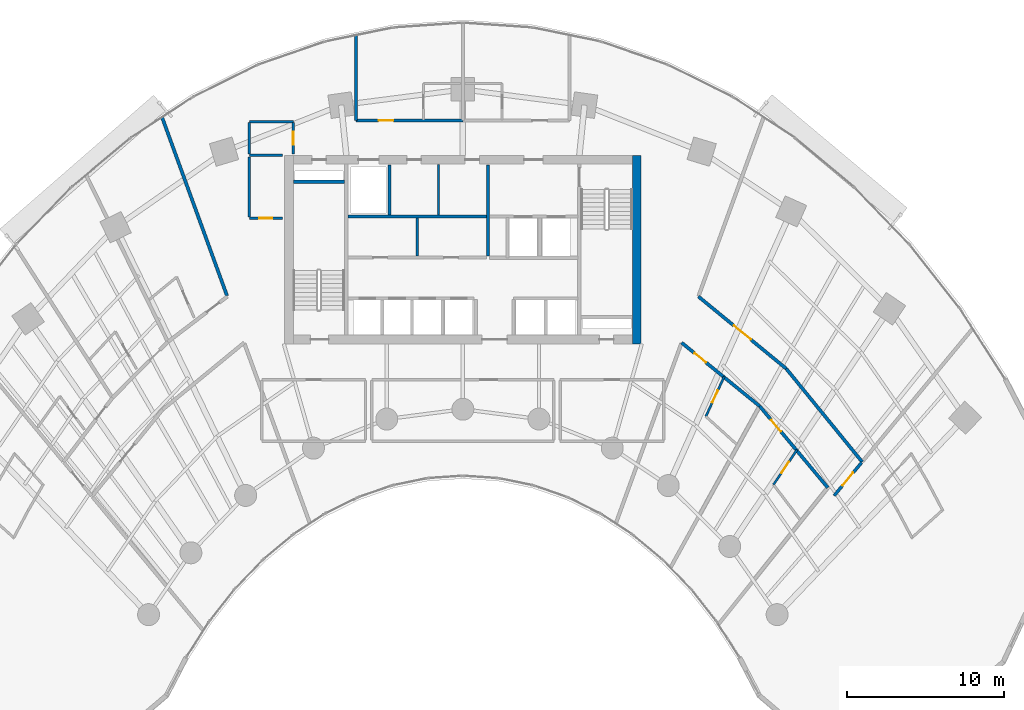
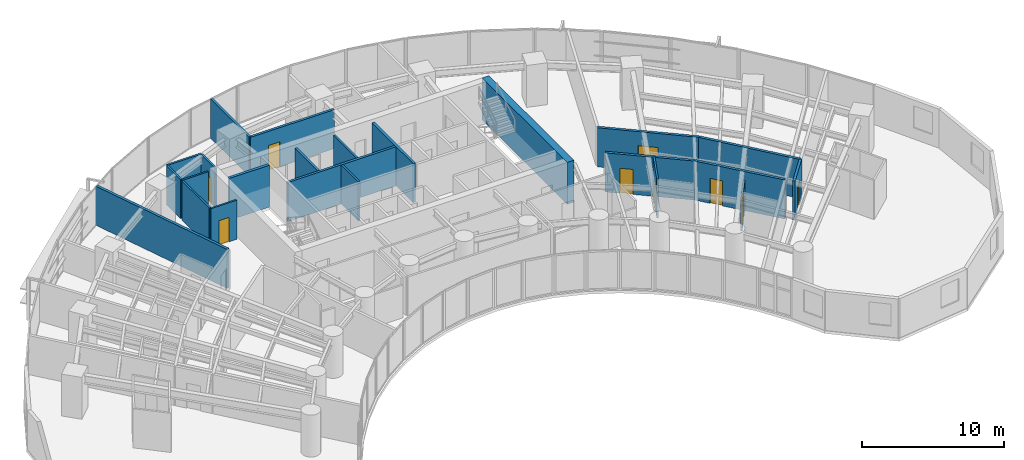
# One storey, part 13 of 17: 23 walls, 9 doors, 9 openings.
"""IFC4 building model written with IfcOpenShell, lengths in metres."""

from ifc_helpers import new_model, si_unit, direction, frame, frame_2d, origin, place, context, subcontext, project, spatial, rectangle, extrude, source, transform, mapped, material, layer, layer_set, type_object, type_shapes, element, fill, save


model = new_model("IFC4")

# Units and contexts
model_context = context("Model", 3, precision=1e-05, world=origin(), true_north=direction((0.0, 1.0)))
body_context = subcontext(model_context, "Body", "Model", "MODEL_VIEW")
ifc_project = project(units=[si_unit("LENGTHUNIT", "METRE"), si_unit("AREAUNIT", "SQUARE_METRE"), si_unit("VOLUMEUNIT", "CUBIC_METRE"), si_unit("PLANEANGLEUNIT", "RADIAN"), si_unit("MASSUNIT", "GRAM", prefix="KILO")], contexts=[model_context])

# Site, building, storey
site_placement = place(None, origin())
site = spatial("IfcSite", under=ifc_project, at=site_placement, CompositionType="ELEMENT")
building_placement = place(site_placement, origin())
building = spatial("IfcBuilding", under=site, at=building_placement, Name="Breltana Convention Tower", CompositionType="ELEMENT")
storey_placement = place(building_placement, frame((0.0, 0.0, 75.0)))
storey = spatial("IfcBuildingStorey", under=building, at=storey_placement, Name="L17", CompositionType="ELEMENT", Elevation=75.0)

# Walls
ifc_material_1 = material(Name="Concrete C60/75", Category="concrete")
ifc_layer_1 = layer(ifc_material_1, 0.550048828125, Name="Concrete C60/75")
ifc_layer_set_1 = layer_set([ifc_layer_1], Name="Concrete C60/75")
wall_type_1 = type_object("IfcWallType", Name="SW-CORE-550", PredefinedType="SHEAR", material=ifc_layer_set_1)
shared_shape_1 = source(origin(), body_context, "Body", "SweptSolid", [
    extrude(rectangle(XDim=12.0, YDim=0.550048828125, at=frame_2d((6.0, 0.0))), origin(), (0.0, 0.0, 1.0), 3.60009765625),
])
wall_1_placement = place(storey_placement, frame((59.074951171875, 60.199951171875, 0.0), z_axis=(0.0, 0.0, 1.0), x_axis=(0.0, 1.0, 0.0)))
element("IfcWall", 1, at=wall_1_placement, inside=storey, type_object=wall_type_1, Name="L17 East Core Shear Wall", PredefinedType="SHEAR", context=body_context, shape_type="MappedRepresentation", body=[
    mapped(shared_shape_1, transform((0.0, 0.0, 0.0), scale=1.0)),
])
ifc_material_2 = material(Name="Concrete C50/60", Category="concrete")
ifc_layer_2 = layer(ifc_material_2, 0.39990234375, Name="Concrete C50/60")
ifc_layer_set_2 = layer_set([ifc_layer_2], Name="Concrete C50/60")
wall_type_2 = type_object("IfcWallType", Name="SW-CORE-400", PredefinedType="SHEAR", material=ifc_layer_set_2)
shared_shape_2 = source(origin(), body_context, "Body", "SweptSolid", [
    extrude(rectangle(XDim=3.27001953125, YDim=0.219970703125, at=frame_2d((1.635009765625, 0.0))), origin(), (0.0, 0.0, 1.0), 3.60009765625),
])
wall_2_placement = place(storey_placement, frame((37.199951171875, 70.510009765625, 0.0), z_axis=(0.0, 0.0, 1.0), x_axis=(1.0, 0.0, 0.0)))
element("IfcWall", 2, at=wall_2_placement, inside=storey, type_object=wall_type_2, Name="L17 ST-1 Stairwell North Bearing Wall", PredefinedType="SHEAR", context=body_context, shape_type="MappedRepresentation", body=[
    mapped(shared_shape_2, transform((0.0, 0.0, 0.0), scale=1.0)),
])
ifc_material_3 = material(Name="Autoclaved Aerated Concrete Block", Category="concrete")
ifc_layer_3 = layer(ifc_material_3, 0.199951171875, Name="Autoclaved Aerated Concrete Block")
ifc_layer_set_3 = layer_set([ifc_layer_3], Name="Autoclaved Aerated Concrete Block")
wall_type_3 = type_object("IfcWallType", Name="WL-SHAFT-200", PredefinedType="SOLIDWALL", material=ifc_layer_set_3)
shared_shape_3 = source(origin(), body_context, "Body", "SweptSolid", [
    extrude(rectangle(XDim=5.800048828125, YDim=0.199951171875, at=frame_2d((2.89990234375, 0.0))), origin(), (0.0, 0.0, 1.0), 3.360107421875),
])
wall_3_placement = place(storey_placement, frame((49.60009765625, 65.800048828125, 0.0), z_axis=(0.0, 0.0, 1.0), x_axis=(0.0, 1.0, 0.0)))
element("IfcWall", 3, at=wall_3_placement, inside=storey, type_object=wall_type_3, Name="L17 interior partition W-L17-FFL-W", PredefinedType="SOLIDWALL", context=body_context, shape_type="MappedRepresentation", body=[
    mapped(shared_shape_3, transform((0.0, 0.0, 0.0), scale=1.0)),
])
shared_shape_4 = source(origin(), body_context, "Body", "SweptSolid", [
    extrude(rectangle(XDim=3.2001953125, YDim=0.199951171875, at=frame_2d((1.60009765625, 0.0))), origin(), (0.0, 0.0, 1.0), 3.360107421875),
])
wall_4_placement = place(storey_placement, frame((43.320068359375, 68.39990234375, 0.0), z_axis=(0.0, 0.0, 1.0), x_axis=(0.0, 1.0, 0.0)))
element("IfcWall", 4, at=wall_4_placement, inside=storey, type_object=wall_type_3, Name="L17 interior partition W-L17-SV-E", PredefinedType="SOLIDWALL", context=body_context, shape_type="MappedRepresentation", body=[
    mapped(shared_shape_4, transform((0.0, 0.0, 0.0), scale=1.0)),
])
shared_shape_5 = source(origin(), body_context, "Body", "SweptSolid", [
    extrude(rectangle(XDim=8.800048828125, YDim=0.199951171875, at=frame_2d((4.39990234375, 0.0))), origin(), (0.0, 0.0, 1.0), 3.360107421875),
])
wall_5_placement = place(storey_placement, frame((40.699951171875, 68.300048828125, 0.0), z_axis=(0.0, 0.0, 1.0), x_axis=(1.0, 0.0, 0.0)))
element("IfcWall", 5, at=wall_5_placement, inside=storey, type_object=wall_type_3, Name="L17 interior partition W-L17-SV-S", PredefinedType="SOLIDWALL", context=body_context, shape_type="MappedRepresentation", body=[
    mapped(shared_shape_5, transform((0.0, 0.0, 0.0), scale=1.0)),
])

# Wall, opening, door
ifc_material_4 = material(Name="Gypsum Acoustic Hotel Wall")
ifc_layer_4 = layer(ifc_material_4, 0.195068359375, Name="Gypsum Acoustic Hotel Wall")
ifc_layer_set_4 = layer_set([ifc_layer_4], Name="Gypsum Acoustic Hotel Wall")
wall_type_4 = type_object("IfcWallType", Name="WL-HOTEL-200", PredefinedType="PARTITIONING", material=ifc_layer_set_4)
shared_shape_6 = source(origin(), body_context, "Body", "SweptSolid", [
    extrude(rectangle(XDim=6.800048828125, YDim=0.195068359375, at=frame_2d((3.39990234375, 0.0))), origin(), (0.0, 0.0, 1.0), 3.360107421875),
])
type_shapes(wall_type_4, [shared_shape_6])
wall_6_placement = place(storey_placement, frame((41.199951171875, 74.419921875, 0.0), z_axis=(0.0, 0.0, 1.0), x_axis=(1.0, 0.0, 0.0)))
wall_6 = element("IfcWall", 6, at=wall_6_placement, inside=storey, type_object=wall_type_4, Name="L17 interior partition W-L17-GRN1-S", PredefinedType="PARTITIONING", context=body_context, shape_type="MappedRepresentation", body=[
    mapped(shared_shape_6, transform((0.0, 0.0, 0.0), scale=1.0)),
])
opening_1_placement = place(wall_6_placement, frame((1.428955078125, 0.0, 0.0)))
opening_1 = element("IfcOpeningElement", 7, at=opening_1_placement, cuts=wall_6, Name="Opening D-14", PredefinedType="OPENING", context=body_context, shape_type="SweptSolid", body=[
    extrude(rectangle(XDim=0.949951171875, YDim=2.14990234375, at=frame_2d((0.47509765625, 1.074951171875))), frame((0.0, 0.107421875, 0.0), z_axis=(0.0, -1.0, 0.0), x_axis=(1.0, 0.0, 0.0)), (0.0, 0.0, 1.0), 0.215087890625),
])
ifc_material_5 = material(Name="Timber Solid-Core Fire Door", Category="wood")
door_type_1 = type_object("IfcDoorType", Name="DR-FD60-950", OperationType="NOTDEFINED", PredefinedType="DOOR", material=ifc_material_5)
shared_shape_7 = source(origin(), body_context, "Body", "SweptSolid", [
    extrude(rectangle(XDim=0.949951171875, YDim=2.14990234375, at=frame_2d((0.47509765625, 1.074951171875))), frame((0.0, 0.02490234375, 0.0), z_axis=(0.0, -1.0, 0.0), x_axis=(1.0, 0.0, 0.0)), (0.0, 0.0, 1.0), 0.050048828125),
])
type_shapes(door_type_1, [shared_shape_7])
door_1_placement = place(opening_1_placement, origin())
door_1 = element("IfcDoor", 8, at=door_1_placement, inside=storey, type_object=door_type_1, Name="L17 interior door D-L17-GRN1", OperationType="SINGLE_SWING_RIGHT", OverallHeight=2.14990234375, OverallWidth=0.949951171875, PredefinedType="DOOR", context=body_context, shape_type="MappedRepresentation", body=[
    mapped(shared_shape_7, transform((0.0, 0.0, 0.0), scale=1.0)),
])
fill(opening_1, door_1)

# Wall
shared_shape_8 = source(origin(), body_context, "Body", "SweptSolid", [
    extrude(rectangle(XDim=5.42626953125, YDim=0.195068359375, at=frame_2d((2.713134765625, 0.0))), origin(), (0.0, 0.0, 1.0), 3.360107421875),
])
wall_7_placement = place(storey_placement, frame((41.199951171875, 74.419921875, 0.0), z_axis=(0.0, 0.0, 1.0), x_axis=(0.0, 1.0, 0.0)))
element("IfcWall", 9, at=wall_7_placement, inside=storey, type_object=wall_type_4, Name="L17 interior partition W-L17-GRN1-SD", PredefinedType="PARTITIONING", context=body_context, shape_type="MappedRepresentation", body=[
    mapped(shared_shape_8, transform((0.0, 0.0, 0.0), scale=1.0)),
])

# Wall, opening, door
shared_shape_9 = source(origin(), body_context, "Body", "SweptSolid", [
    extrude(rectangle(XDim=2.748291015625, YDim=0.195068359375, at=frame_2d((1.3740234375, 0.0))), origin(), (0.0, 0.0, 1.0), 3.360107421875),
])
wall_8_placement = place(storey_placement, frame((71.64697265625, 50.531005859375, 0.0), z_axis=(0.0, 0.0, 1.0), x_axis=(0.638111168284, 0.769944242729, 0.0)))
wall_8 = element("IfcWall", 10, at=wall_8_placement, inside=storey, type_object=wall_type_4, Name="L17 interior partition W-L17-CS-E-END", PredefinedType="PARTITIONING", context=body_context, shape_type="MappedRepresentation", body=[
    mapped(shared_shape_9, transform((0.0, 0.0, 0.0), scale=1.0)),
])
opening_2_placement = place(wall_8_placement, frame((0.84912109375, 0.0, 0.0)))
opening_2 = element("IfcOpeningElement", 11, at=opening_2_placement, cuts=wall_8, Name="Opening D-13", PredefinedType="OPENING", context=body_context, shape_type="SweptSolid", body=[
    extrude(rectangle(XDim=1.050048828125, YDim=2.14990234375, at=frame_2d((0.52490234375, 1.074951171875))), frame((0.0, 0.107421875, 0.0), z_axis=(0.0, -1.0, 0.0), x_axis=(1.0, 0.0, 0.0)), (0.0, 0.0, 1.0), 0.215087890625),
])
door_type_2 = type_object("IfcDoorType", Name="DR-FD60-1050", OperationType="NOTDEFINED", PredefinedType="DOOR", material=ifc_material_5)
shared_shape_10 = source(origin(), body_context, "Body", "SweptSolid", [
    extrude(rectangle(XDim=1.050048828125, YDim=2.14990234375, at=frame_2d((0.52490234375, 1.074951171875))), frame((0.0, 0.02490234375, 0.0), z_axis=(0.0, -1.0, 0.0), x_axis=(1.0, 0.0, 0.0)), (0.0, 0.0, 1.0), 0.050048828125),
])
type_shapes(door_type_2, [shared_shape_10])
door_2_placement = place(opening_2_placement, origin())
door_2 = element("IfcDoor", 12, at=door_2_placement, inside=storey, type_object=door_type_2, Name="L17 interior door D-L17-CS-E", OperationType="SINGLE_SWING_RIGHT", OverallHeight=2.14990234375, OverallWidth=1.050048828125, PredefinedType="DOOR", context=body_context, shape_type="MappedRepresentation", body=[
    mapped(shared_shape_10, transform((0.0, 0.0, 0.0), scale=1.0)),
])
fill(opening_2, door_2)

# Walls
ifc_material_6 = material(Name="Gypsum Acoustic Drywall Partition")
ifc_layer_5 = layer(ifc_material_6, 0.14990234375, Name="Gypsum Acoustic Drywall Partition")
ifc_layer_set_5 = layer_set([ifc_layer_5], Name="Gypsum Acoustic Drywall Partition")
wall_type_5 = type_object("IfcWallType", Name="WL-PART-150", PredefinedType="PARTITIONING", material=ifc_layer_set_5)
shared_shape_11 = source(origin(), body_context, "Body", "SweptSolid", [
    extrude(rectangle(XDim=3.22998046875, YDim=0.14990234375, at=frame_2d((1.614990234375, 0.0))), origin(), (0.0, 0.0, 1.0), 3.360107421875),
])
wall_9_placement = place(storey_placement, frame((46.449951171875, 68.39990234375, 0.0), z_axis=(0.0, 0.0, 1.0), x_axis=(0.0, 1.0, 0.0)))
element("IfcWall", 13, at=wall_9_placement, inside=storey, type_object=wall_type_5, Name="L17 interior partition W-L17-KV-1", PredefinedType="PARTITIONING", context=body_context, shape_type="MappedRepresentation", body=[
    mapped(shared_shape_11, transform((0.0, 0.0, 0.0), scale=1.0)),
])
shared_shape_12 = source(origin(), body_context, "Body", "SweptSolid", [
    extrude(rectangle(XDim=2.39990234375, YDim=0.14990234375, at=frame_2d((1.199951171875, 0.0))), origin(), (0.0, 0.0, 1.0), 3.360107421875),
])
wall_10_placement = place(storey_placement, frame((45.10009765625, 65.800048828125, 0.0), z_axis=(0.0, 0.0, 1.0), x_axis=(0.0, 1.0, 0.0)))
element("IfcWall", 14, at=wall_10_placement, inside=storey, type_object=wall_type_5, Name="L17 interior partition W-L17-LV7-B2-DIV", PredefinedType="PARTITIONING", context=body_context, shape_type="MappedRepresentation", body=[
    mapped(shared_shape_12, transform((0.0, 0.0, 0.0), scale=1.0)),
])
shared_shape_13 = source(origin(), body_context, "Body", "SweptSolid", [
    extrude(rectangle(XDim=2.10009765625, YDim=0.14990234375, at=frame_2d((1.050048828125, 0.0))), origin(), (0.0, 0.0, 1.0), 3.360107421875),
])
wall_11_placement = place(storey_placement, frame((34.39990234375, 72.219970703125, 0.0), z_axis=(0.0, 0.0, 1.0), x_axis=(1.0, 0.0, 0.0)))
element("IfcWall", 15, at=wall_11_placement, inside=storey, type_object=wall_type_5, Name="L17 interior partition W-L17-CRNW-S", PredefinedType="PARTITIONING", context=body_context, shape_type="MappedRepresentation", body=[
    mapped(shared_shape_13, transform((0.0, 0.0, 0.0), scale=1.0)),
])

# Wall, opening, door
wall_12_placement = place(storey_placement, frame((34.39990234375, 68.199951171875, 0.0), z_axis=(0.0, 0.0, 1.0), x_axis=(1.0, 0.0, 0.0)))
wall_12 = element("IfcWall", 16, at=wall_12_placement, inside=storey, type_object=wall_type_5, Name="L17 interior partition W-L17-CRSW-S", PredefinedType="PARTITIONING", context=body_context, shape_type="MappedRepresentation", body=[
    mapped(shared_shape_13, transform((0.0, 0.0, 0.0), scale=1.0)),
])
opening_3_placement = place(wall_12_placement, frame((0.625, 0.0, 0.0)))
opening_3 = element("IfcOpeningElement", 17, at=opening_3_placement, cuts=wall_12, Name="Opening D-20", PredefinedType="OPENING", context=body_context, shape_type="SweptSolid", body=[
    extrude(rectangle(XDim=0.85009765625, YDim=2.10009765625, at=frame_2d((0.425048828125, 1.050048828125))), frame((0.0, 0.0849609375, 0.0), z_axis=(0.0, -1.0, 0.0), x_axis=(1.0, 0.0, 0.0)), (0.0, 0.0, 1.0), 0.169921875),
])
ifc_material_7 = material(Name="Steel Closet Fire Door", Category="steel")
door_type_3 = type_object("IfcDoorType", Name="DR-FD60-850", OperationType="NOTDEFINED", PredefinedType="DOOR", material=ifc_material_7)
shared_shape_14 = source(origin(), body_context, "Body", "SweptSolid", [
    extrude(rectangle(XDim=0.85009765625, YDim=2.10009765625, at=frame_2d((0.425048828125, 1.050048828125))), frame((0.0, 0.02490234375, 0.0), z_axis=(0.0, -1.0, 0.0), x_axis=(1.0, 0.0, 0.0)), (0.0, 0.0, 1.0), 0.050048828125),
])
type_shapes(door_type_3, [shared_shape_14])
door_3_placement = place(opening_3_placement, origin())
door_3 = element("IfcDoor", 18, at=door_3_placement, inside=storey, type_object=door_type_3, Name="L17 interior door D-L17-CRSW", OperationType="SINGLE_SWING_RIGHT", OverallHeight=2.10009765625, OverallWidth=0.85009765625, PredefinedType="DOOR", context=body_context, shape_type="MappedRepresentation", body=[
    mapped(shared_shape_14, transform((0.0, 0.0, 0.0), scale=1.0)),
])
fill(opening_3, door_3)

# Walls
shared_shape_15 = source(origin(), body_context, "Body", "SweptSolid", [
    extrude(rectangle(XDim=2.800048828125, YDim=0.14990234375, at=frame_2d((1.39990234375, 0.0))), origin(), (0.0, 0.0, 1.0), 3.360107421875),
])
wall_13_placement = place(storey_placement, frame((34.39990234375, 74.35009765625, 0.0), z_axis=(0.0, 0.0, 1.0), x_axis=(1.0, 0.0, 0.0)))
element("IfcWall", 19, at=wall_13_placement, inside=storey, type_object=wall_type_5, Name="L17 interior partition W-L17-CRNW-N", PredefinedType="PARTITIONING", context=body_context, shape_type="MappedRepresentation", body=[
    mapped(shared_shape_15, transform((0.0, 0.0, 0.0), scale=1.0)),
])
shared_shape_16 = source(origin(), body_context, "Body", "SweptSolid", [
    extrude(rectangle(XDim=1.994873046875, YDim=0.14990234375, at=frame_2d((0.99755859375, 0.0))), origin(), (0.0, 0.0, 1.0), 3.360107421875),
])
wall_14_placement = place(storey_placement, frame((34.39990234375, 72.28759765625, 0.0), z_axis=(0.0, 0.0, 1.0), x_axis=(0.0, 1.0, 0.0)))
element("IfcWall", 20, at=wall_14_placement, inside=storey, type_object=wall_type_5, Name="L17 interior partition W-L17-CRNW-W", PredefinedType="PARTITIONING", context=body_context, shape_type="MappedRepresentation", body=[
    mapped(shared_shape_16, transform((0.0, 0.0, 0.0), scale=1.0)),
])

# Wall, opening, door
shared_shape_17 = source(origin(), body_context, "Body", "SweptSolid", [
    extrude(rectangle(XDim=1.982421875, YDim=0.14990234375, at=frame_2d((0.9912109375, 0.0))), origin(), (0.0, 0.0, 1.0), 3.360107421875),
])
wall_15_placement = place(storey_placement, frame((37.199951171875, 72.300048828125, 0.0), z_axis=(0.0, 0.0, 1.0), x_axis=(0.0, 1.0, 0.0)))
wall_15 = element("IfcWall", 21, at=wall_15_placement, inside=storey, type_object=wall_type_5, Name="L17 interior partition W-L17-CRNW-E", PredefinedType="PARTITIONING", context=body_context, shape_type="MappedRepresentation", body=[
    mapped(shared_shape_17, transform((0.0, 0.0, 0.0), scale=1.0)),
])
opening_4_placement = place(wall_15_placement, frame((0.56640625, 0.0, 0.0)))
opening_4 = element("IfcOpeningElement", 22, at=opening_4_placement, cuts=wall_15, Name="Opening D-20", PredefinedType="OPENING", context=body_context, shape_type="SweptSolid", body=[
    extrude(rectangle(XDim=0.85009765625, YDim=2.10009765625, at=frame_2d((0.425048828125, 1.050048828125))), frame((0.0, 0.0849609375, 0.0), z_axis=(0.0, -1.0, 0.0), x_axis=(1.0, 0.0, 0.0)), (0.0, 0.0, 1.0), 0.169921875),
])
door_4_placement = place(opening_4_placement, origin())
door_4 = element("IfcDoor", 23, at=door_4_placement, inside=storey, type_object=door_type_3, Name="L17 interior door D-L17-CRNW", OperationType="SINGLE_SWING_LEFT", OverallHeight=2.10009765625, OverallWidth=0.85009765625, PredefinedType="DOOR", context=body_context, shape_type="MappedRepresentation", body=[
    mapped(shared_shape_14, transform((0.0, 0.0, 0.0), scale=1.0)),
])
fill(opening_4, door_4)

# Wall
shared_shape_18 = source(origin(), body_context, "Body", "SweptSolid", [
    extrude(rectangle(XDim=3.844970703125, YDim=0.14990234375, at=frame_2d((1.92236328125, 0.0))), origin(), (0.0, 0.0, 1.0), 3.360107421875),
])
wall_16_placement = place(storey_placement, frame((34.39990234375, 68.267578125, 0.0), z_axis=(0.0, 0.0, 1.0), x_axis=(0.0, 1.0, 0.0)))
element("IfcWall", 24, at=wall_16_placement, inside=storey, type_object=wall_type_5, Name="L17 interior partition W-L17-CRSW-W", PredefinedType="PARTITIONING", context=body_context, shape_type="MappedRepresentation", body=[
    mapped(shared_shape_18, transform((0.0, 0.0, 0.0), scale=1.0)),
])

# Wall, opening, door
ifc_material_8 = material(Name="Moisture-Resistant En-Suite Partition")
ifc_layer_6 = layer(ifc_material_8, 0.139892578125, Name="Moisture-Resistant En-Suite Partition")
ifc_layer_set_6 = layer_set([ifc_layer_6], Name="Moisture-Resistant En-Suite Partition")
wall_type_6 = type_object("IfcWallType", Name="WL-WET-150", PredefinedType="PARTITIONING", material=ifc_layer_set_6)
shared_shape_19 = source(origin(), body_context, "Body", "SweptSolid", [
    extrude(rectangle(XDim=2.6728515625, YDim=0.139892578125, at=frame_2d((1.33642578125, 0.0))), origin(), (0.0, 0.0, 1.0), 2.64404296875),
])
wall_17_placement = place(storey_placement, frame((67.7822265625, 51.234375, 0.0), z_axis=(0.0, 0.0, 1.0), x_axis=(0.560399679065, 0.828222312972, 0.0)))
wall_17 = element("IfcWall", 25, at=wall_17_placement, inside=storey, type_object=wall_type_6, Name="L17 interior partition W-L17-ST05E-SD", PredefinedType="PARTITIONING", context=body_context, shape_type="MappedRepresentation", body=[
    mapped(shared_shape_19, transform((0.0, 0.0, 0.0), scale=1.0)),
])
opening_5_placement = place(wall_17_placement, frame((0.911376953125, 0.0, 0.0)))
opening_5 = element("IfcOpeningElement", 26, at=opening_5_placement, cuts=wall_17, Name="Opening D-21", PredefinedType="OPENING", context=body_context, shape_type="SweptSolid", body=[
    extrude(rectangle(XDim=0.85009765625, YDim=2.050048828125, at=frame_2d((0.425048828125, 1.02490234375))), frame((0.0, 0.080078125, 0.0), z_axis=(0.0, -1.0, 0.0), x_axis=(1.0, 0.0, 0.0)), (0.0, 0.0, 1.0), 0.159912109375),
])
ifc_material_9 = material(Name="Timber Moisture-Resistant En-Suite Door", Category="wood")
door_type_4 = type_object("IfcDoorType", Name="DR-WET-850", OperationType="NOTDEFINED", PredefinedType="DOOR", material=ifc_material_9)
shared_shape_20 = source(origin(), body_context, "Body", "SweptSolid", [
    extrude(rectangle(XDim=0.85009765625, YDim=2.050048828125, at=frame_2d((0.425048828125, 1.02490234375))), frame((0.0, 0.02490234375, 0.0), z_axis=(0.0, -1.0, 0.0), x_axis=(1.0, 0.0, 0.0)), (0.0, 0.0, 1.0), 0.050048828125),
])
type_shapes(door_type_4, [shared_shape_20])
door_5_placement = place(opening_5_placement, origin())
door_5 = element("IfcDoor", 27, at=door_5_placement, inside=storey, type_object=door_type_4, Name="L17 interior door D-L17-ST05E", OperationType="SINGLE_SWING_LEFT", OverallHeight=2.050048828125, OverallWidth=0.85009765625, PredefinedType="DOOR", context=body_context, shape_type="MappedRepresentation", body=[
    mapped(shared_shape_20, transform((0.0, 0.0, 0.0), scale=1.0)),
])
fill(opening_5, door_5)

ifc_material_10 = material(Name="Autoclaved Aerated Masonry Blockwork", Category="masonry")
ifc_layer_7 = layer(ifc_material_10, 0.2099609375, Name="Autoclaved Aerated Masonry Blockwork")
ifc_layer_set_7 = layer_set([ifc_layer_7], Name="Autoclaved Aerated Masonry Blockwork")
wall_type_7 = type_object("IfcWallType", Name="WL-PART-200", PredefinedType="PARTITIONING", material=ifc_layer_set_7)
shared_shape_21 = source(origin(), body_context, "Body", "SweptSolid", [
    extrude(rectangle(XDim=7.23681640625, YDim=0.2099609375, at=frame_2d((3.618408203125, 0.0))), origin(), (0.0, 0.0, 1.0), 3.360107421875),
])
wall_18_placement = place(storey_placement, frame((63.001220703125, 63.214111328125, 0.0), z_axis=(0.0, 0.0, 1.0), x_axis=(0.772813707793, -0.634632943557, 0.0)))
wall_18 = element("IfcWall", 28, at=wall_18_placement, inside=storey, type_object=wall_type_7, Name="L17 interior partition W-L17-H3OE-COR1", PredefinedType="PARTITIONING", context=body_context, shape_type="MappedRepresentation", body=[
    mapped(shared_shape_21, transform((0.0, 0.0, 0.0), scale=1.0)),
])
opening_6_placement = place(wall_18_placement, frame((2.91845703125, 0.0, 0.0)))
opening_6 = element("IfcOpeningElement", 29, at=opening_6_placement, cuts=wall_18, Name="Opening D-05", PredefinedType="OPENING", context=body_context, shape_type="SweptSolid", body=[
    extrude(rectangle(XDim=1.39990234375, YDim=2.14990234375, at=frame_2d((0.699951171875, 1.074951171875))), frame((0.0, 0.114990234375, 0.0), z_axis=(0.0, -1.0, 0.0), x_axis=(1.0, 0.0, 0.0)), (0.0, 0.0, 1.0), 0.22998046875),
])
ifc_material_11 = material(Name="Timber Veneer Glazed Double Door", Category="wood")
door_type_5 = type_object("IfcDoorType", Name="DR-DBL-1400", OperationType="DOUBLE_DOOR_SINGLE_SWING", PredefinedType="DOOR", material=ifc_material_11)
shared_shape_22 = source(origin(), body_context, "Body", "SweptSolid", [
    extrude(rectangle(XDim=1.39990234375, YDim=2.14990234375, at=frame_2d((0.699951171875, 1.074951171875))), frame((0.0, 0.02490234375, 0.0), z_axis=(0.0, -1.0, 0.0), x_axis=(1.0, 0.0, 0.0)), (0.0, 0.0, 1.0), 0.050048828125),
])
type_shapes(door_type_5, [shared_shape_22])
door_6_placement = place(opening_6_placement, origin())
door_6 = element("IfcDoor", 30, at=door_6_placement, inside=storey, type_object=door_type_5, Name="L17 interior door D-L17-H3OE", OperationType="SINGLE_SWING_LEFT", OverallHeight=2.14990234375, OverallWidth=1.39990234375, PredefinedType="DOOR", context=body_context, shape_type="MappedRepresentation", body=[
    mapped(shared_shape_22, transform((0.0, 0.0, 0.0), scale=1.0)),
])
fill(opening_6, door_6)

# Walls
shared_shape_23 = source(origin(), body_context, "Body", "SweptSolid", [
    extrude(rectangle(XDim=7.65869140625, YDim=0.2099609375, at=frame_2d((3.829345703125, 0.0))), origin(), (0.0, 0.0, 1.0), 3.360107421875),
])
wall_19_placement = place(storey_placement, frame((68.593994140625, 58.621337890625, 0.0), z_axis=(0.0, 0.0, 1.0), x_axis=(0.631489868862, -0.775384127723, 0.0)))
element("IfcWall", 31, at=wall_19_placement, inside=storey, type_object=wall_type_7, Name="L17 interior partition W-L17-H3OE-COR2", PredefinedType="PARTITIONING", context=body_context, shape_type="MappedRepresentation", body=[
    mapped(shared_shape_23, transform((0.0, 0.0, 0.0), scale=1.0)),
])
shared_shape_24 = source(origin(), body_context, "Body", "SweptSolid", [
    extrude(rectangle(XDim=12.088134765625, YDim=0.2099609375, at=frame_2d((6.0439453125, 0.0))), origin(), (0.0, 0.0, 1.0), 3.360107421875),
])
wall_20_placement = place(storey_placement, frame((32.9814453125, 63.26220703125, 0.0), z_axis=(0.0, 0.0, 1.0), x_axis=(-0.34203007529, 0.939689005787, 0.0)))
element("IfcWall", 32, at=wall_20_placement, inside=storey, type_object=wall_type_7, Name="L17 interior partition W-L17-ST03-RB", PredefinedType="PARTITIONING", context=body_context, shape_type="MappedRepresentation", body=[
    mapped(shared_shape_24, transform((0.0, 0.0, 0.0), scale=1.0)),
])

# Wall, opening, door
shared_shape_25 = source(origin(), body_context, "Body", "SweptSolid", [
    extrude(rectangle(XDim=6.408447265625, YDim=0.2099609375, at=frame_2d((3.2041015625, 0.0))), origin(), (0.0, 0.0, 1.0), 3.360107421875),
])
wall_21_placement = place(storey_placement, frame((61.931396484375, 60.275390625, 0.0), z_axis=(0.0, 0.0, 1.0), x_axis=(0.775878552904, -0.630882295792, 0.0)))
wall_21 = element("IfcWall", 33, at=wall_21_placement, inside=storey, type_object=wall_type_7, Name="L17 interior partition W-L17-ST04-COR", PredefinedType="PARTITIONING", context=body_context, shape_type="MappedRepresentation", body=[
    mapped(shared_shape_25, transform((0.0, 0.0, 0.0), scale=1.0)),
])
opening_7_placement = place(wall_21_placement, frame((1.06298828125, 0.0, 0.0)))
opening_7 = element("IfcOpeningElement", 34, at=opening_7_placement, cuts=wall_21, Name="Opening D-14", PredefinedType="OPENING", context=body_context, shape_type="SweptSolid", body=[
    extrude(rectangle(XDim=0.949951171875, YDim=2.14990234375, at=frame_2d((0.47509765625, 1.074951171875))), frame((0.0, 0.114990234375, 0.0), z_axis=(0.0, -1.0, 0.0), x_axis=(1.0, 0.0, 0.0)), (0.0, 0.0, 1.0), 0.22998046875),
])
door_7_placement = place(opening_7_placement, origin())
door_7 = element("IfcDoor", 35, at=door_7_placement, inside=storey, type_object=door_type_1, Name="L17 interior door D-L17-ST04", OperationType="SINGLE_SWING_RIGHT", OverallHeight=2.14990234375, OverallWidth=0.949951171875, PredefinedType="DOOR", context=body_context, shape_type="MappedRepresentation", body=[
    mapped(shared_shape_7, transform((0.0, 0.0, 0.0), scale=1.0)),
])
fill(opening_7, door_7)

shared_shape_26 = source(origin(), body_context, "Body", "SweptSolid", [
    extrude(rectangle(XDim=2.79931640625, YDim=0.139892578125, at=frame_2d((1.399658203125, 0.0))), origin(), (0.0, 0.0, 1.0), 3.360107421875),
])
wall_22_placement = place(storey_placement, frame((63.47509765625, 55.57568359375, 0.0), z_axis=(0.0, 0.0, 1.0), x_axis=(0.418626740412, 0.908158384981, 0.0)))
wall_22 = element("IfcWall", 36, at=wall_22_placement, inside=storey, type_object=wall_type_6, Name="L17 interior partition W-L17-ST04E-SD", PredefinedType="PARTITIONING", context=body_context, shape_type="MappedRepresentation", body=[
    mapped(shared_shape_26, transform((0.0, 0.0, 0.0), scale=1.0)),
])
opening_8_placement = place(wall_22_placement, frame((0.974609375, 0.0, 0.0)))
opening_8 = element("IfcOpeningElement", 37, at=opening_8_placement, cuts=wall_22, Name="Opening D-21", PredefinedType="OPENING", context=body_context, shape_type="SweptSolid", body=[
    extrude(rectangle(XDim=0.85009765625, YDim=2.050048828125, at=frame_2d((0.425048828125, 1.02490234375))), frame((0.0, 0.080078125, 0.0), z_axis=(0.0, -1.0, 0.0), x_axis=(1.0, 0.0, 0.0)), (0.0, 0.0, 1.0), 0.159912109375),
])
door_8_placement = place(opening_8_placement, origin())
door_8 = element("IfcDoor", 38, at=door_8_placement, inside=storey, type_object=door_type_4, Name="L17 interior door D-L17-ST04E", OperationType="SINGLE_SWING_LEFT", OverallHeight=2.050048828125, OverallWidth=0.85009765625, PredefinedType="DOOR", context=body_context, shape_type="MappedRepresentation", body=[
    mapped(shared_shape_20, transform((0.0, 0.0, 0.0), scale=1.0)),
])
fill(opening_8, door_8)

shared_shape_27 = source(origin(), body_context, "Body", "SweptSolid", [
    extrude(rectangle(XDim=6.764404296875, YDim=0.2099609375, at=frame_2d((3.38232421875, 0.0))), origin(), (0.0, 0.0, 1.0), 3.360107421875),
])
wall_23_placement = place(storey_placement, frame((66.903564453125, 56.232421875, 0.0), z_axis=(0.0, 0.0, 1.0), x_axis=(0.641433176235, -0.767178910311, 0.0)))
wall_23 = element("IfcWall", 39, at=wall_23_placement, inside=storey, type_object=wall_type_7, Name="L17 interior partition W-L17-ST05-COR", PredefinedType="PARTITIONING", context=body_context, shape_type="MappedRepresentation", body=[
    mapped(shared_shape_27, transform((0.0, 0.0, 0.0), scale=1.0)),
])
opening_9_placement = place(wall_23_placement, frame((1.1484375, 0.0, 0.0)))
opening_9 = element("IfcOpeningElement", 40, at=opening_9_placement, cuts=wall_23, Name="Opening D-14", PredefinedType="OPENING", context=body_context, shape_type="SweptSolid", body=[
    extrude(rectangle(XDim=0.949951171875, YDim=2.14990234375, at=frame_2d((0.47509765625, 1.074951171875))), frame((0.0, 0.114990234375, 0.0), z_axis=(0.0, -1.0, 0.0), x_axis=(1.0, 0.0, 0.0)), (0.0, 0.0, 1.0), 0.22998046875),
])
door_9_placement = place(opening_9_placement, origin())
door_9 = element("IfcDoor", 41, at=door_9_placement, inside=storey, type_object=door_type_1, Name="L17 interior door D-L17-ST05", OperationType="SINGLE_SWING_RIGHT", OverallHeight=2.14990234375, OverallWidth=0.949951171875, PredefinedType="DOOR", context=body_context, shape_type="MappedRepresentation", body=[
    mapped(shared_shape_7, transform((0.0, 0.0, 0.0), scale=1.0)),
])
fill(opening_9, door_9)

save(model, "model.ifc")
